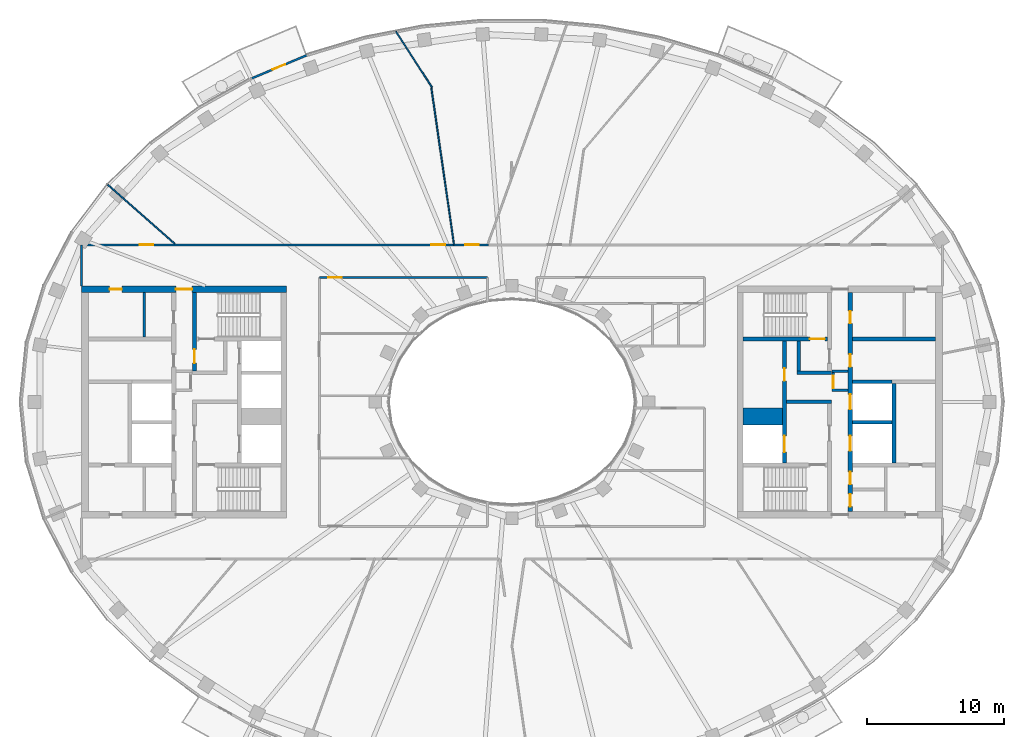
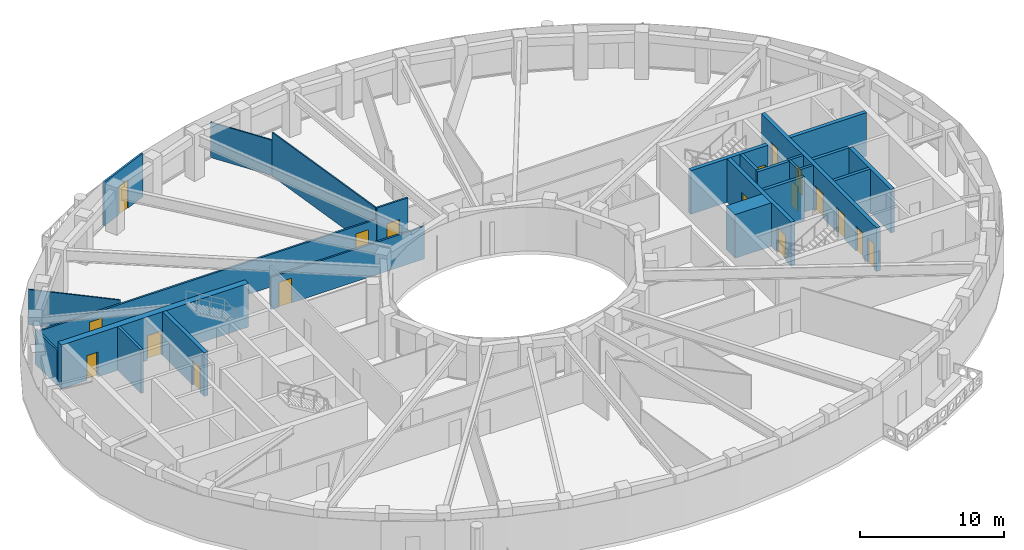
# One storey, part 5 of 15: 25 walls, 18 doors, 18 openings.
"""IFC4 building model written with IfcOpenShell, lengths in metres."""

from ifc_helpers import new_model, si_unit, direction, frame, frame_2d, origin, place, context, subcontext, project, spatial, rectangle, extrude, material, layer, layer_set, type_object, element, fill, save


model = new_model("IFC4")

# Units and contexts
model_context = context("Model", 3, precision=1e-05, world=origin(), true_north=direction((0.0, 1.0)))
body_context = subcontext(model_context, "Body", "Model", "MODEL_VIEW")
ifc_project = project(units=[si_unit("LENGTHUNIT", "METRE"), si_unit("AREAUNIT", "SQUARE_METRE"), si_unit("VOLUMEUNIT", "CUBIC_METRE"), si_unit("PLANEANGLEUNIT", "RADIAN"), si_unit("MASSUNIT", "GRAM", prefix="KILO")], contexts=[model_context])

# Site, building, storey
site_placement = place(None, origin())
site = spatial("IfcSite", under=ifc_project, at=site_placement, CompositionType="ELEMENT")
building_placement = place(site_placement, origin())
building = spatial("IfcBuilding", under=site, at=building_placement, Name="Noorbagh Ring Tower", CompositionType="ELEMENT")
storey_placement = place(building_placement, frame((0.0, 0.0, 295.0)))
storey = spatial("IfcBuildingStorey", under=building, at=storey_placement, Name="L63", CompositionType="ELEMENT", Elevation=295.0)

# Walls
ifc_material_1 = material(Name="Gypsum board on steel studs", Category="steel")
ifc_layer_1 = layer(ifc_material_1, 0.199951171875)
ifc_layer_set_1 = layer_set([ifc_layer_1], Name="Gypsum board on steel studs")
wall_type_1 = type_object("IfcWallType", Name="CORE-PARTITION-200", PredefinedType="PARTITIONING", material=ifc_layer_set_1)
wall_1_placement = place(storey_placement, frame((-26.89990234375, 4.75, 0.0), z_axis=(0.0, 0.0, 1.0), x_axis=(0.0, 1.0, 0.0)))
element("IfcWall", 1, at=wall_1_placement, inside=storey, type_object=wall_type_1, Name="Core partition W", PredefinedType="PARTITIONING", context=body_context, shape_type="SweptSolid", body=[
    extrude(rectangle(XDim=3.25, YDim=0.199951171875, at=frame_2d((1.625, 0.0))), origin(), (0.0, 0.0, 1.0), 3.699951171875),
])
for number, where, z_axis, x_axis, name in (
    (2, (23.39990234375, 0.85009765625, 0.0), (0.0, 0.0, 1.0), (1.0, 0.0, 0.0), "Core partition E"),
    (3, (23.39990234375, 2.25, 0.0), (0.0, 0.0, 1.0), (1.0, 0.0, 0.0), "Core partition E"),
):
    element("IfcWall", number, at=place(storey_placement, frame(where, z_axis=z_axis, x_axis=x_axis)), inside=storey, type_object=wall_type_1, Name=name, PredefinedType="PARTITIONING", context=body_context, shape_type="SweptSolid", body=[
        extrude(rectangle(XDim=1.2001953125, YDim=0.199951171875, at=frame_2d((0.60009765625, 0.0))), origin(), (0.0, 0.0, 1.0), 3.699951171875),
    ])

# Wall, opening, door
wall_2_placement = place(storey_placement, frame((23.5, 0.75, 0.0), z_axis=(0.0, 0.0, 1.0), x_axis=(0.0, 1.0, 0.0)))
wall_2 = element("IfcWall", 4, at=wall_2_placement, inside=storey, type_object=wall_type_1, Name="Core partition E", PredefinedType="PARTITIONING", context=body_context, shape_type="SweptSolid", body=[
    extrude(rectangle(XDim=1.60009765625, YDim=0.199951171875, at=frame_2d((0.800048828125, 0.0))), origin(), (0.0, 0.0, 1.0), 3.699951171875),
])
opening_1_placement = place(wall_2_placement, frame((0.25, 0.0, 0.0)))
opening_1 = element("IfcOpeningElement", 5, at=opening_1_placement, cuts=wall_2, Name="Opening L63-CE17", PredefinedType="OPENING", context=body_context, shape_type="SweptSolid", body=[
    extrude(rectangle(XDim=0.89990234375, YDim=2.10009765625, at=frame_2d((0.449951171875, 1.050048828125))), frame((0.0, 0.10986328125, 0.0), z_axis=(0.0, -1.0, 0.0), x_axis=(1.0, 0.0, 0.0)), (0.0, 0.0, 1.0), 0.219970703125),
])
ifc_material_2 = material(Name="Steel door leaf", Category="steel")
door_type_1 = type_object("IfcDoorType", Name="CORE-DOOR-DROOM", OperationType="SINGLE_SWING_LEFT", PredefinedType="DOOR", material=ifc_material_2)
door_1_placement = place(opening_1_placement, origin())
door_1 = element("IfcDoor", 6, at=door_1_placement, inside=storey, type_object=door_type_1, Name="Core room door L63-CE17", OperationType="SINGLE_SWING_LEFT", OverallHeight=2.10009765625, OverallWidth=0.89990234375, PredefinedType="DOOR", context=body_context, shape_type="SweptSolid", body=[
    extrude(rectangle(XDim=0.89990234375, YDim=2.10009765625, at=frame_2d((0.449951171875, 1.050048828125))), frame((0.0, 0.02490234375, 0.0), z_axis=(0.0, -1.0, 0.0), x_axis=(1.0, 0.0, 0.0)), (0.0, 0.0, 1.0), 0.050048828125),
])
fill(opening_1, door_1)

# Walls
ifc_material_3 = material(Name="Concrete C50/60", Category="concrete")
ifc_layer_2 = layer(ifc_material_3, 1.25)
ifc_layer_set_2 = layer_set([ifc_layer_2], Name="Concrete C50/60")
wall_type_2 = type_object("IfcWallType", Name="CORE-WALL-1250-C50-60-EI120", PredefinedType="SHEAR", material=ifc_layer_set_2)
wall_3_placement = place(storey_placement, frame((16.89990234375, -1.074951171875, 0.0), z_axis=(0.0, 0.0, 1.0), x_axis=(1.0, 0.0, 0.0)))
element("IfcWall", 7, at=wall_3_placement, inside=storey, type_object=wall_type_2, Name="Core wall E", PredefinedType="SHEAR", context=body_context, shape_type="SweptSolid", body=[
    extrude(rectangle(XDim=2.900146484375, YDim=1.25, at=frame_2d((1.4501953125, 0.0))), origin(), (0.0, 0.0, 1.0), 3.699951171875),
])
ifc_material_4 = material(Name="Concrete C50/60", Category="concrete")
ifc_layer_3 = layer(ifc_material_4, 0.25)
ifc_layer_set_3 = layer_set([ifc_layer_3], Name="Concrete C50/60")
wall_type_3 = type_object("IfcWallType", Name="CORE-WALL-250-C50-60-EI120", PredefinedType="SHEAR", material=ifc_layer_set_3)
for number, where, z_axis, x_axis, name in (
    (8, (24.89990234375, -1.47509765625, 0.0), (0.0, 0.0, 1.0), (1.0, 0.0, 0.0), "Core wall E"),
    (9, (24.89990234375, 1.47509765625, 0.0), (0.0, 0.0, 1.0), (1.0, 0.0, 0.0), "Core wall E"),
):
    element("IfcWall", number, at=place(storey_placement, frame(where, z_axis=z_axis, x_axis=x_axis)), inside=storey, type_object=wall_type_3, Name=name, PredefinedType="SHEAR", context=body_context, shape_type="SweptSolid", body=[
        extrude(rectangle(XDim=2.900146484375, YDim=0.25, at=frame_2d((1.4501953125, 0.0))), origin(), (0.0, 0.0, 1.0), 3.699951171875),
    ])
ifc_material_5 = material(Name="Concrete C50/60", Category="concrete")
ifc_layer_4 = layer(ifc_material_5, 0.25)
ifc_layer_set_4 = layer_set([ifc_layer_4], Name="Concrete C50/60")
wall_type_4 = type_object("IfcWallType", Name="CORE-WALL-250-C50-60-EI240", PredefinedType="SHEAR", material=ifc_layer_set_4)
wall_4_placement = place(storey_placement, frame((20.10009765625, 0.0, 0.0), z_axis=(0.0, 0.0, 1.0), x_axis=(1.0, 0.0, 0.0)))
element("IfcWall", 10, at=wall_4_placement, inside=storey, type_object=wall_type_4, Name="Core wall E", PredefinedType="SHEAR", context=body_context, shape_type="SweptSolid", body=[
    extrude(rectangle(XDim=3.27978515625, YDim=0.25, at=frame_2d((1.639892578125, 0.0))), origin(), (0.0, 0.0, 1.0), 3.699951171875),
])
wall_5_placement = place(storey_placement, frame((20.85009765625, 2.125, 0.0), z_axis=(0.0, 0.0, 1.0), x_axis=(1.0, 0.0, 0.0)))
element("IfcWall", 11, at=wall_5_placement, inside=storey, type_object=wall_type_4, Name="Core wall E", PredefinedType="SHEAR", context=body_context, shape_type="SweptSolid", body=[
    extrude(rectangle(XDim=2.52978515625, YDim=0.25, at=frame_2d((1.264892578125, 0.0))), origin(), (0.0, 0.0, 1.0), 3.699951171875),
])
wall_6_placement = place(storey_placement, frame((20.97509765625, 2.25, 0.0), z_axis=(0.0, 0.0, 1.0), x_axis=(0.0, 1.0, 0.0)))
element("IfcWall", 12, at=wall_6_placement, inside=storey, type_object=wall_type_4, Name="Core wall E", PredefinedType="SHEAR", context=body_context, shape_type="SweptSolid", body=[
    extrude(rectangle(XDim=2.199951171875, YDim=0.25, at=frame_2d((1.10009765625, 0.0))), origin(), (0.0, 0.0, 1.0), 3.699951171875),
])
ifc_material_6 = material(Name="Concrete C50/60", Category="concrete")
ifc_layer_5 = layer(ifc_material_6, 0.300048828125)
ifc_layer_set_5 = layer_set([ifc_layer_5], Name="Concrete C50/60")
wall_type_5 = type_object("IfcWallType", Name="CORE-WALL-300-C50-60-EI120", PredefinedType="SHEAR", material=ifc_layer_set_5)
wall_7_placement = place(storey_placement, frame((27.949951171875, -4.449951171875, 0.0), z_axis=(0.0, 0.0, 1.0), x_axis=(0.0, 1.0, 0.0)))
element("IfcWall", 13, at=wall_7_placement, inside=storey, type_object=wall_type_5, Name="Core wall E", PredefinedType="SHEAR", context=body_context, shape_type="SweptSolid", body=[
    extrude(rectangle(XDim=5.800048828125, YDim=0.300048828125, at=frame_2d((2.89990234375, 0.0))), origin(), (0.0, 0.0, 1.0), 3.699951171875),
])

# Wall, openings, doors
wall_8_placement = place(storey_placement, frame((19.949951171875, -4.449951171875, 0.0), z_axis=(0.0, 0.0, 1.0), x_axis=(0.0, 1.0, 0.0)))
wall_8 = element("IfcWall", 14, at=wall_8_placement, inside=storey, type_object=wall_type_5, Name="Core wall E", PredefinedType="SHEAR", context=body_context, shape_type="SweptSolid", body=[
    extrude(rectangle(XDim=8.89990234375, YDim=0.300048828125, at=frame_2d((4.449951171875, 0.0))), origin(), (0.0, 0.0, 1.0), 3.699951171875),
])
opening_2_placement = place(wall_8_placement, frame((0.77490234375, 0.0, 0.0)))
opening_2 = element("IfcOpeningElement", 15, at=opening_2_placement, cuts=wall_8, Name="Opening L63-CE01", PredefinedType="OPENING", context=body_context, shape_type="SweptSolid", body=[
    extrude(rectangle(XDim=1.199951171875, YDim=2.10009765625, at=frame_2d((0.60009765625, 1.050048828125))), frame((0.0, 0.16015625, 0.0), z_axis=(0.0, -1.0, 0.0), x_axis=(1.0, 0.0, 0.0)), (0.0, 0.0, 1.0), 0.320068359375),
])
opening_3_placement = place(wall_8_placement, frame((6.0, 0.0, 0.0)))
opening_3 = element("IfcOpeningElement", 16, at=opening_3_placement, cuts=wall_8, Name="Opening L63-CE10", PredefinedType="OPENING", context=body_context, shape_type="SweptSolid", body=[
    extrude(rectangle(XDim=0.89990234375, YDim=2.10009765625, at=frame_2d((0.449951171875, 1.050048828125))), frame((0.0, 0.16015625, 0.0), z_axis=(0.0, -1.0, 0.0), x_axis=(1.0, 0.0, 0.0)), (0.0, 0.0, 1.0), 0.320068359375),
])
door_2_placement = place(opening_3_placement, origin())
door_2 = element("IfcDoor", 17, at=door_2_placement, inside=storey, type_object=door_type_1, Name="Core room door L63-CE10", OperationType="SINGLE_SWING_RIGHT", OverallHeight=2.10009765625, OverallWidth=0.89990234375, PredefinedType="DOOR", context=body_context, shape_type="SweptSolid", body=[
    extrude(rectangle(XDim=0.89990234375, YDim=2.10009765625, at=frame_2d((0.449951171875, 1.050048828125))), frame((0.0, 0.02490234375, 0.0), z_axis=(0.0, -1.0, 0.0), x_axis=(1.0, 0.0, 0.0)), (0.0, 0.0, 1.0), 0.050048828125),
])
fill(opening_3, door_2)
ifc_material_7 = material(Name="Steel door leaf", Category="steel")
door_type_2 = type_object("IfcDoorType", Name="CORE-DOOR-LDW", OperationType="DOUBLE_DOOR_SLIDING", PredefinedType="DOOR", material=ifc_material_7)
door_3_placement = place(opening_2_placement, origin())
door_3 = element("IfcDoor", 18, at=door_3_placement, inside=storey, type_object=door_type_2, Name="Landing door FF2 L63-CE01", OperationType="DOUBLE_DOOR_SLIDING", OverallHeight=2.10009765625, OverallWidth=1.199951171875, PredefinedType="DOOR", context=body_context, shape_type="SweptSolid", body=[
    extrude(rectangle(XDim=1.199951171875, YDim=2.10009765625, at=frame_2d((0.60009765625, 1.050048828125))), frame((0.0, 0.02490234375, 0.0), z_axis=(0.0, -1.0, 0.0), x_axis=(1.0, 0.0, 0.0)), (0.0, 0.0, 1.0), 0.050048828125),
])
fill(opening_2, door_3)

wall_9_placement = place(storey_placement, frame((24.75, -8.0, 0.0), z_axis=(0.0, 0.0, 1.0), x_axis=(0.0, 1.0, 0.0)))
wall_9 = element("IfcWall", 19, at=wall_9_placement, inside=storey, type_object=wall_type_5, Name="Core wall E", PredefinedType="SHEAR", context=body_context, shape_type="SweptSolid", body=[
    extrude(rectangle(XDim=16.0, YDim=0.300048828125, at=frame_2d((8.0, 0.0))), origin(), (0.0, 0.0, 1.0), 3.699951171875),
])
opening_4_placement = place(wall_9_placement, frame((4.425048828125, 0.0, 0.0)))
opening_4 = element("IfcOpeningElement", 20, at=opening_4_placement, cuts=wall_9, Name="Opening L63-CE02", PredefinedType="OPENING", context=body_context, shape_type="SweptSolid", body=[
    extrude(rectangle(XDim=1.10009765625, YDim=2.10009765625, at=frame_2d((0.550048828125, 1.050048828125))), frame((0.0, 0.16015625, 0.0), z_axis=(0.0, -1.0, 0.0), x_axis=(1.0, 0.0, 0.0)), (0.0, 0.0, 1.0), 0.320068359375),
])
opening_5_placement = place(wall_9_placement, frame((7.449951171875, 0.0, 0.0)))
opening_5 = element("IfcOpeningElement", 21, at=opening_5_placement, cuts=wall_9, Name="Opening L63-CE03", PredefinedType="OPENING", context=body_context, shape_type="SweptSolid", body=[
    extrude(rectangle(XDim=1.10009765625, YDim=2.10009765625, at=frame_2d((0.550048828125, 1.050048828125))), frame((0.0, 0.16015625, 0.0), z_axis=(0.0, -1.0, 0.0), x_axis=(1.0, 0.0, 0.0)), (0.0, 0.0, 1.0), 0.320068359375),
])
opening_6_placement = place(wall_9_placement, frame((10.574951171875, 0.0, 0.0)))
opening_6 = element("IfcOpeningElement", 22, at=opening_6_placement, cuts=wall_9, Name="Opening L63-CE11", PredefinedType="OPENING", context=body_context, shape_type="SweptSolid", body=[
    extrude(rectangle(XDim=0.89990234375, YDim=2.10009765625, at=frame_2d((0.449951171875, 1.050048828125))), frame((0.0, 0.16015625, 0.0), z_axis=(0.0, -1.0, 0.0), x_axis=(1.0, 0.0, 0.0)), (0.0, 0.0, 1.0), 0.320068359375),
])
opening_7_placement = place(wall_9_placement, frame((13.75, 0.0, 0.0)))
opening_7 = element("IfcOpeningElement", 23, at=opening_7_placement, cuts=wall_9, Name="Opening L63-CE12", PredefinedType="OPENING", context=body_context, shape_type="SweptSolid", body=[
    extrude(rectangle(XDim=0.89990234375, YDim=2.10009765625, at=frame_2d((0.449951171875, 1.050048828125))), frame((0.0, 0.16015625, 0.0), z_axis=(0.0, -1.0, 0.0), x_axis=(1.0, 0.0, 0.0)), (0.0, 0.0, 1.0), 0.320068359375),
])
opening_8_placement = place(wall_9_placement, frame((1.97509765625, 0.0, 0.0)))
opening_8 = element("IfcOpeningElement", 24, at=opening_8_placement, cuts=wall_9, Name="Opening L63-CE14", PredefinedType="OPENING", context=body_context, shape_type="SweptSolid", body=[
    extrude(rectangle(XDim=0.89990234375, YDim=2.10009765625, at=frame_2d((0.449951171875, 1.050048828125))), frame((0.0, 0.16015625, 0.0), z_axis=(0.0, -1.0, 0.0), x_axis=(1.0, 0.0, 0.0)), (0.0, 0.0, 1.0), 0.320068359375),
])
opening_9_placement = place(wall_9_placement, frame((0.35009765625, 0.0, 0.0)))
opening_9 = element("IfcOpeningElement", 25, at=opening_9_placement, cuts=wall_9, Name="Opening L63-CE15", PredefinedType="OPENING", context=body_context, shape_type="SweptSolid", body=[
    extrude(rectangle(XDim=0.89990234375, YDim=2.10009765625, at=frame_2d((0.449951171875, 1.050048828125))), frame((0.0, 0.16015625, 0.0), z_axis=(0.0, -1.0, 0.0), x_axis=(1.0, 0.0, 0.0)), (0.0, 0.0, 1.0), 0.320068359375),
])
door_4_placement = place(opening_6_placement, origin())
door_4 = element("IfcDoor", 26, at=door_4_placement, inside=storey, type_object=door_type_1, Name="Core room door L63-CE11", OperationType="SINGLE_SWING_LEFT", OverallHeight=2.10009765625, OverallWidth=0.89990234375, PredefinedType="DOOR", context=body_context, shape_type="SweptSolid", body=[
    extrude(rectangle(XDim=0.89990234375, YDim=2.10009765625, at=frame_2d((0.449951171875, 1.050048828125))), frame((0.0, 0.02490234375, 0.0), z_axis=(0.0, -1.0, 0.0), x_axis=(1.0, 0.0, 0.0)), (0.0, 0.0, 1.0), 0.050048828125),
])
fill(opening_6, door_4)
door_5_placement = place(opening_7_placement, origin())
door_5 = element("IfcDoor", 27, at=door_5_placement, inside=storey, type_object=door_type_1, Name="Core room door L63-CE12", OperationType="SINGLE_SWING_LEFT", OverallHeight=2.10009765625, OverallWidth=0.89990234375, PredefinedType="DOOR", context=body_context, shape_type="SweptSolid", body=[
    extrude(rectangle(XDim=0.89990234375, YDim=2.10009765625, at=frame_2d((0.449951171875, 1.050048828125))), frame((0.0, 0.02490234375, 0.0), z_axis=(0.0, -1.0, 0.0), x_axis=(1.0, 0.0, 0.0)), (0.0, 0.0, 1.0), 0.050048828125),
])
fill(opening_7, door_5)
door_6_placement = place(opening_8_placement, origin())
door_6 = element("IfcDoor", 28, at=door_6_placement, inside=storey, type_object=door_type_1, Name="Core room door L63-CE14", OperationType="SINGLE_SWING_LEFT", OverallHeight=2.10009765625, OverallWidth=0.89990234375, PredefinedType="DOOR", context=body_context, shape_type="SweptSolid", body=[
    extrude(rectangle(XDim=0.89990234375, YDim=2.10009765625, at=frame_2d((0.449951171875, 1.050048828125))), frame((0.0, 0.02490234375, 0.0), z_axis=(0.0, -1.0, 0.0), x_axis=(1.0, 0.0, 0.0)), (0.0, 0.0, 1.0), 0.050048828125),
])
fill(opening_8, door_6)
door_7_placement = place(opening_9_placement, origin())
door_7 = element("IfcDoor", 29, at=door_7_placement, inside=storey, type_object=door_type_1, Name="Core room door L63-CE15", OperationType="SINGLE_SWING_RIGHT", OverallHeight=2.10009765625, OverallWidth=0.89990234375, PredefinedType="DOOR", context=body_context, shape_type="SweptSolid", body=[
    extrude(rectangle(XDim=0.89990234375, YDim=2.10009765625, at=frame_2d((0.449951171875, 1.050048828125))), frame((0.0, 0.02490234375, 0.0), z_axis=(0.0, -1.0, 0.0), x_axis=(1.0, 0.0, 0.0)), (0.0, 0.0, 1.0), 0.050048828125),
])
fill(opening_9, door_7)
ifc_material_8 = material(Name="Steel door leaf", Category="steel")
door_type_3 = type_object("IfcDoorType", Name="CORE-DOOR-LD", OperationType="DOUBLE_DOOR_SLIDING", PredefinedType="DOOR", material=ifc_material_8)
door_8_placement = place(opening_4_placement, origin())
door_8 = element("IfcDoor", 30, at=door_8_placement, inside=storey, type_object=door_type_3, Name="Landing door HR12 L63-CE02", OperationType="DOUBLE_DOOR_SLIDING", OverallHeight=2.10009765625, OverallWidth=1.10009765625, PredefinedType="DOOR", context=body_context, shape_type="SweptSolid", body=[
    extrude(rectangle(XDim=1.10009765625, YDim=2.10009765625, at=frame_2d((0.550048828125, 1.050048828125))), frame((0.0, 0.02490234375, 0.0), z_axis=(0.0, -1.0, 0.0), x_axis=(1.0, 0.0, 0.0)), (0.0, 0.0, 1.0), 0.050048828125),
])
fill(opening_4, door_8)
door_9_placement = place(opening_5_placement, origin())
door_9 = element("IfcDoor", 31, at=door_9_placement, inside=storey, type_object=door_type_3, Name="Landing door HR13 L63-CE03", OperationType="DOUBLE_DOOR_SLIDING", OverallHeight=2.10009765625, OverallWidth=1.10009765625, PredefinedType="DOOR", context=body_context, shape_type="SweptSolid", body=[
    extrude(rectangle(XDim=1.10009765625, YDim=2.10009765625, at=frame_2d((0.550048828125, 1.050048828125))), frame((0.0, 0.02490234375, 0.0), z_axis=(0.0, -1.0, 0.0), x_axis=(1.0, 0.0, 0.0)), (0.0, 0.0, 1.0), 0.050048828125),
])
fill(opening_5, door_9)

# Wall, opening, door
ifc_material_9 = material(Name="Concrete C50/60", Category="concrete")
ifc_layer_6 = layer(ifc_material_9, 0.300048828125)
ifc_layer_set_6 = layer_set([ifc_layer_6], Name="Concrete C50/60")
wall_type_6 = type_object("IfcWallType", Name="CORE-WALL-300-C50-60-EI240", PredefinedType="SHEAR", material=ifc_layer_set_6)
wall_10_placement = place(storey_placement, frame((-23.22998046875, 2.25, 0.0), z_axis=(0.0, 0.0, 1.0), x_axis=(0.0, 1.0, 0.0)))
wall_10 = element("IfcWall", 32, at=wall_10_placement, inside=storey, type_object=wall_type_6, Name="Core wall W", PredefinedType="SHEAR", context=body_context, shape_type="SweptSolid", body=[
    extrude(rectangle(XDim=5.75, YDim=0.300048828125, at=frame_2d((2.875, 0.0))), origin(), (0.0, 0.0, 1.0), 3.699951171875),
])
opening_10_placement = place(wall_10_placement, frame((0.60009765625, 0.0, 0.0)))
opening_10 = element("IfcOpeningElement", 33, at=opening_10_placement, cuts=wall_10, Name="Opening L63-CW08", PredefinedType="OPENING", context=body_context, shape_type="SweptSolid", body=[
    extrude(rectangle(XDim=1.0, YDim=2.10009765625, at=frame_2d((0.5, 1.050048828125))), frame((0.0, 0.16015625, 0.0), z_axis=(0.0, -1.0, 0.0), x_axis=(1.0, 0.0, 0.0)), (0.0, 0.0, 1.0), 0.320068359375),
])
ifc_material_10 = material(Name="Steel door leaf", Category="steel")
door_type_4 = type_object("IfcDoorType", Name="CORE-DOOR-DVEST", OperationType="SINGLE_SWING_LEFT", PredefinedType="DOOR", material=ifc_material_10)
door_10_placement = place(opening_10_placement, origin())
door_10 = element("IfcDoor", 34, at=door_10_placement, inside=storey, type_object=door_type_4, Name="Stair vestibule door L63-CW08", OperationType="SINGLE_SWING_LEFT", OverallHeight=2.10009765625, OverallWidth=1.0, PredefinedType="DOOR", context=body_context, shape_type="SweptSolid", body=[
    extrude(rectangle(XDim=1.0, YDim=2.10009765625, at=frame_2d((0.5, 1.050048828125))), frame((0.0, 0.02490234375, 0.0), z_axis=(0.0, -1.0, 0.0), x_axis=(1.0, 0.0, 0.0)), (0.0, 0.0, 1.0), 0.050048828125),
])
fill(opening_10, door_10)

# Wall
wall_11_placement = place(storey_placement, frame((24.89990234375, 4.60009765625, 0.0), z_axis=(0.0, 0.0, 1.0), x_axis=(1.0, 0.0, 0.0)))
element("IfcWall", 35, at=wall_11_placement, inside=storey, type_object=wall_type_6, Name="Core wall E", PredefinedType="SHEAR", context=body_context, shape_type="SweptSolid", body=[
    extrude(rectangle(XDim=6.10009765625, YDim=0.300048828125, at=frame_2d((3.050048828125, 0.0))), origin(), (0.0, 0.0, 1.0), 3.699951171875),
])

# Wall, opening, door
wall_12_placement = place(storey_placement, frame((16.89990234375, 4.60009765625, 0.0), z_axis=(0.0, 0.0, 1.0), x_axis=(1.0, 0.0, 0.0)))
wall_12 = element("IfcWall", 36, at=wall_12_placement, inside=storey, type_object=wall_type_6, Name="Core wall E", PredefinedType="SHEAR", context=body_context, shape_type="SweptSolid", body=[
    extrude(rectangle(XDim=6.18017578125, YDim=0.300048828125, at=frame_2d((3.090087890625, 0.0))), origin(), (0.0, 0.0, 1.0), 3.699951171875),
])
opening_11_placement = place(wall_12_placement, frame((4.89990234375, 0.0, 0.0)))
opening_11 = element("IfcOpeningElement", 37, at=opening_11_placement, cuts=wall_12, Name="Opening L63-CE04", PredefinedType="OPENING", context=body_context, shape_type="SweptSolid", body=[
    extrude(rectangle(XDim=1.10009765625, YDim=2.10009765625, at=frame_2d((0.550048828125, 1.050048828125))), frame((0.0, 0.16015625, 0.0), z_axis=(0.0, -1.0, 0.0), x_axis=(1.0, 0.0, 0.0)), (0.0, 0.0, 1.0), 0.320068359375),
])
ifc_material_11 = material(Name="Steel door leaf", Category="steel")
door_type_5 = type_object("IfcDoorType", Name="CORE-DOOR-DSTAIR", OperationType="SINGLE_SWING_LEFT", PredefinedType="DOOR", material=ifc_material_11)
door_11_placement = place(opening_11_placement, origin())
door_11 = element("IfcDoor", 38, at=door_11_placement, inside=storey, type_object=door_type_5, Name="Stair door ST3 L63-CE04", OperationType="SINGLE_SWING_LEFT", OverallHeight=2.10009765625, OverallWidth=1.10009765625, PredefinedType="DOOR", context=body_context, shape_type="SweptSolid", body=[
    extrude(rectangle(XDim=1.10009765625, YDim=2.10009765625, at=frame_2d((0.550048828125, 1.050048828125))), frame((0.0, 0.02490234375, 0.0), z_axis=(0.0, -1.0, 0.0), x_axis=(1.0, 0.0, 0.0)), (0.0, 0.0, 1.0), 0.050048828125),
])
fill(opening_11, door_11)

# Wall, openings, doors
ifc_material_12 = material(Name="Concrete C50/60", Category="concrete")
ifc_layer_7 = layer(ifc_material_12, 0.5)
ifc_layer_set_7 = layer_set([ifc_layer_7], Name="Concrete C50/60")
wall_type_7 = type_object("IfcWallType", Name="CORE-WALL-500-C50-60-EI240", PredefinedType="SHEAR", material=ifc_layer_set_7)
wall_13_placement = place(storey_placement, frame((-16.5, 8.25, 0.0), z_axis=(0.0, 0.0, 1.0), x_axis=(-1.0, 0.0, 0.0)))
wall_13 = element("IfcWall", 39, at=wall_13_placement, inside=storey, type_object=wall_type_7, Name="Core wall W", PredefinedType="SHEAR", context=body_context, shape_type="SweptSolid", body=[
    extrude(rectangle(XDim=15.0, YDim=0.5, at=frame_2d((7.5, 0.0))), origin(), (0.0, 0.0, 1.0), 3.699951171875),
])
opening_12_placement = place(wall_13_placement, frame((6.89990234375, 0.0, 0.0)))
opening_12 = element("IfcOpeningElement", 40, at=opening_12_placement, cuts=wall_13, Name="Opening L63-CW09", PredefinedType="OPENING", context=body_context, shape_type="SweptSolid", body=[
    extrude(rectangle(XDim=1.199951171875, YDim=2.10009765625, at=frame_2d((0.60009765625, 1.050048828125))), frame((0.0, 0.260009765625, 0.0), z_axis=(0.0, -1.0, 0.0), x_axis=(1.0, 0.0, 0.0)), (0.0, 0.0, 1.0), 0.52001953125),
])
opening_13_placement = place(wall_13_placement, frame((12.050048828125, 0.0, 0.0)))
opening_13 = element("IfcOpeningElement", 41, at=opening_13_placement, cuts=wall_13, Name="Opening L63-CW13", PredefinedType="OPENING", context=body_context, shape_type="SweptSolid", body=[
    extrude(rectangle(XDim=0.89990234375, YDim=2.10009765625, at=frame_2d((0.449951171875, 1.050048828125))), frame((0.0, 0.260009765625, 0.0), z_axis=(0.0, -1.0, 0.0), x_axis=(1.0, 0.0, 0.0)), (0.0, 0.0, 1.0), 0.52001953125),
])
door_12_placement = place(opening_13_placement, origin())
door_12 = element("IfcDoor", 42, at=door_12_placement, inside=storey, type_object=door_type_1, Name="Core room door L63-CW13", OperationType="SINGLE_SWING_RIGHT", OverallHeight=2.10009765625, OverallWidth=0.89990234375, PredefinedType="DOOR", context=body_context, shape_type="SweptSolid", body=[
    extrude(rectangle(XDim=0.89990234375, YDim=2.10009765625, at=frame_2d((0.449951171875, 1.050048828125))), frame((0.0, 0.02490234375, 0.0), z_axis=(0.0, -1.0, 0.0), x_axis=(1.0, 0.0, 0.0)), (0.0, 0.0, 1.0), 0.050048828125),
])
fill(opening_13, door_12)
ifc_material_13 = material(Name="Steel door leaf", Category="steel")
door_type_6 = type_object("IfcDoorType", Name="CORE-DOOR-PORT", OperationType="DOUBLE_DOOR_DOUBLE_SWING", PredefinedType="DOOR", material=ifc_material_13)
door_13_placement = place(opening_12_placement, origin())
door_13 = element("IfcDoor", 43, at=door_13_placement, inside=storey, type_object=door_type_6, Name="Core entrance door L63-CW09", OperationType="DOUBLE_DOOR_DOUBLE_SWING", OverallHeight=2.10009765625, OverallWidth=1.199951171875, PredefinedType="DOOR", context=body_context, shape_type="SweptSolid", body=[
    extrude(rectangle(XDim=1.199951171875, YDim=2.10009765625, at=frame_2d((0.60009765625, 1.050048828125))), frame((0.0, 0.02490234375, 0.0), z_axis=(0.0, -1.0, 0.0), x_axis=(1.0, 0.0, 0.0)), (0.0, 0.0, 1.0), 0.050048828125),
])
fill(opening_12, door_13)

# Wall
ifc_material_14 = material(Name="Gypsum board on steel studs", Category="steel")
ifc_layer_8 = layer(ifc_material_14, 0.14990234375)
ifc_layer_set_8 = layer_set([ifc_layer_8], Name="Gypsum board on steel studs")
wall_type_8 = type_object("IfcWallType", Name="CORRIDOR PARTITION 150 EI 30", PredefinedType="PARTITIONING", material=ifc_layer_set_8)
wall_14_placement = place(storey_placement, frame((-31.5, 8.5, 0.0), z_axis=(0.0, 0.0, 1.0), x_axis=(0.0, 1.0, 0.0)))
element("IfcWall", 44, at=wall_14_placement, inside=storey, type_object=wall_type_8, Name="L63/wall/P04", PredefinedType="PARTITIONING", context=body_context, shape_type="SweptSolid", body=[
    extrude(rectangle(XDim=3.0, YDim=0.14990234375, at=frame_2d((1.5, 0.0))), origin(), (0.0, 0.0, 1.0), 3.0),
])

# Wall, openings, doors
wall_15_placement = place(storey_placement, frame((-31.5, 11.5, 0.0), z_axis=(0.0, 0.0, 1.0), x_axis=(1.0, 0.0, 0.0)))
wall_15 = element("IfcWall", 45, at=wall_15_placement, inside=storey, type_object=wall_type_8, Name="L63/wall/P05", PredefinedType="PARTITIONING", context=body_context, shape_type="SweptSolid", body=[
    extrude(rectangle(XDim=27.238037109375, YDim=0.14990234375, at=frame_2d((13.619140625, 0.0))), origin(), (0.0, 0.0, 1.0), 2.75),
])
opening_14_placement = place(wall_15_placement, frame((4.2490234375, 0.0, 0.0)))
opening_14 = element("IfcOpeningElement", 46, at=opening_14_placement, cuts=wall_15, Name="Opening D1", PredefinedType="OPENING", context=body_context, shape_type="SweptSolid", body=[
    extrude(rectangle(XDim=1.0, YDim=2.10009765625, at=frame_2d((0.5, 1.050048828125))), frame((0.0, 0.0849609375, 0.0), z_axis=(0.0, -1.0, 0.0), x_axis=(1.0, 0.0, 0.0)), (0.0, 0.0, 1.0), 0.169921875),
])
opening_15_placement = place(wall_15_placement, frame((25.60791015625, 0.0, 0.0)))
opening_15 = element("IfcOpeningElement", 47, at=opening_15_placement, cuts=wall_15, Name="Opening D1", PredefinedType="OPENING", context=body_context, shape_type="SweptSolid", body=[
    extrude(rectangle(XDim=1.0, YDim=2.10009765625, at=frame_2d((0.5, 1.050048828125))), frame((0.0, 0.0849609375, 0.0), z_axis=(0.0, -1.0, 0.0), x_axis=(1.0, 0.0, 0.0)), (0.0, 0.0, 1.0), 0.169921875),
])
ifc_material_15 = material(Name="Timber, painted", Category="wood")
door_type_7 = type_object("IfcDoorType", Name="DOOR 1000 X 2100 FD30", OperationType="SINGLE_SWING_LEFT", PredefinedType="DOOR", material=ifc_material_15)
door_14_placement = place(opening_14_placement, origin())
door_14 = element("IfcDoor", 48, at=door_14_placement, inside=storey, type_object=door_type_7, Name="L63-D05", OperationType="SINGLE_SWING_LEFT", OverallHeight=2.10009765625, OverallWidth=1.0, PredefinedType="DOOR", context=body_context, shape_type="SweptSolid", body=[
    extrude(rectangle(XDim=1.0, YDim=2.10009765625, at=frame_2d((0.5, 1.050048828125))), frame((0.0, 0.02490234375, 0.0), z_axis=(0.0, -1.0, 0.0), x_axis=(1.0, 0.0, 0.0)), (0.0, 0.0, 1.0), 0.050048828125),
])
fill(opening_14, door_14)
door_15_placement = place(opening_15_placement, origin())
door_15 = element("IfcDoor", 49, at=door_15_placement, inside=storey, type_object=door_type_7, Name="L63-D07", OperationType="SINGLE_SWING_LEFT", OverallHeight=2.10009765625, OverallWidth=1.0, PredefinedType="DOOR", context=body_context, shape_type="SweptSolid", body=[
    extrude(rectangle(XDim=1.0, YDim=2.10009765625, at=frame_2d((0.5, 1.050048828125))), frame((0.0, 0.02490234375, 0.0), z_axis=(0.0, -1.0, 0.0), x_axis=(1.0, 0.0, 0.0)), (0.0, 0.0, 1.0), 0.050048828125),
])
fill(opening_15, door_15)

# Wall, opening, door
wall_16_placement = place(storey_placement, frame((-14.10009765625, 9.10009765625, 0.0), z_axis=(0.0, 0.0, 1.0), x_axis=(1.0, 0.0, 0.0)))
wall_16 = element("IfcWall", 50, at=wall_16_placement, inside=storey, type_object=wall_type_8, Name="L63/wall/P14", PredefinedType="PARTITIONING", context=body_context, shape_type="SweptSolid", body=[
    extrude(rectangle(XDim=12.300048828125, YDim=0.14990234375, at=frame_2d((6.14990234375, 0.0))), origin(), (0.0, 0.0, 1.0), 2.75),
])
opening_16_placement = place(wall_16_placement, frame((0.64990234375, 0.0, 0.0)))
opening_16 = element("IfcOpeningElement", 51, at=opening_16_placement, cuts=wall_16, Name="Opening D1", PredefinedType="OPENING", context=body_context, shape_type="SweptSolid", body=[
    extrude(rectangle(XDim=1.0, YDim=2.10009765625, at=frame_2d((0.5, 1.050048828125))), frame((0.0, 0.0849609375, 0.0), z_axis=(0.0, -1.0, 0.0), x_axis=(1.0, 0.0, 0.0)), (0.0, 0.0, 1.0), 0.169921875),
])
door_16_placement = place(opening_16_placement, origin())
door_16 = element("IfcDoor", 52, at=door_16_placement, inside=storey, type_object=door_type_7, Name="L63-D21", OperationType="SINGLE_SWING_LEFT", OverallHeight=2.10009765625, OverallWidth=1.0, PredefinedType="DOOR", context=body_context, shape_type="SweptSolid", body=[
    extrude(rectangle(XDim=1.0, YDim=2.10009765625, at=frame_2d((0.5, 1.050048828125))), frame((0.0, 0.02490234375, 0.0), z_axis=(0.0, -1.0, 0.0), x_axis=(1.0, 0.0, 0.0)), (0.0, 0.0, 1.0), 0.050048828125),
])
fill(opening_16, door_16)

wall_17_placement = place(storey_placement, frame((-4.241943359375, 11.5, 0.0), z_axis=(0.0, 0.0, 1.0), x_axis=(1.0, 0.0, 0.0)))
wall_17 = element("IfcWall", 53, at=wall_17_placement, inside=storey, type_object=wall_type_8, Name="L63/wall/P18", PredefinedType="PARTITIONING", context=body_context, shape_type="SweptSolid", body=[
    extrude(rectangle(XDim=2.510009765625, YDim=0.14990234375, at=frame_2d((1.2548828125, 0.0))), origin(), (0.0, 0.0, 1.0), 3.699951171875),
])
opening_17_placement = place(wall_17_placement, frame((0.818115234375, 0.0, 0.0)))
opening_17 = element("IfcOpeningElement", 54, at=opening_17_placement, cuts=wall_17, Name="Opening D1", PredefinedType="OPENING", context=body_context, shape_type="SweptSolid", body=[
    extrude(rectangle(XDim=1.0, YDim=2.10009765625, at=frame_2d((0.5, 1.050048828125))), frame((0.0, 0.0849609375, 0.0), z_axis=(0.0, -1.0, 0.0), x_axis=(1.0, 0.0, 0.0)), (0.0, 0.0, 1.0), 0.169921875),
])
door_17_placement = place(opening_17_placement, origin())
door_17 = element("IfcDoor", 55, at=door_17_placement, inside=storey, type_object=door_type_7, Name="L63-D10", OperationType="SINGLE_SWING_RIGHT", OverallHeight=2.10009765625, OverallWidth=1.0, PredefinedType="DOOR", context=body_context, shape_type="SweptSolid", body=[
    extrude(rectangle(XDim=1.0, YDim=2.10009765625, at=frame_2d((0.5, 1.050048828125))), frame((0.0, 0.02490234375, 0.0), z_axis=(0.0, -1.0, 0.0), x_axis=(1.0, 0.0, 0.0)), (0.0, 0.0, 1.0), 0.050048828125),
])
fill(opening_17, door_17)

ifc_material_16 = material(Name="Insulated aluminium clad panel", Category="aluminium")
ifc_layer_9 = layer(ifc_material_16, 0.14990234375)
ifc_layer_set_9 = layer_set([ifc_layer_9], Name="Insulated aluminium clad panel")
wall_type_9 = type_object("IfcWallType", Name="ENV-WALL-DOOR", PredefinedType="STANDARD", material=ifc_layer_set_9)
wall_18_placement = place(storey_placement, frame((-15.017822265625, 25.368896484375, 0.0), z_axis=(0.0, 0.0, 1.0), x_axis=(-0.921816985161, -0.387625393736, 0.0)))
wall_18 = element("IfcWall", 56, at=wall_18_placement, inside=storey, type_object=wall_type_9, Name="Balcony door wall chord 16", PredefinedType="STANDARD", context=body_context, shape_type="SweptSolid", body=[
    extrude(rectangle(XDim=4.42578125, YDim=0.14990234375, at=frame_2d((2.212890625, 0.0))), origin(), (0.0, 0.0, 1.0), 3.699951171875),
])
opening_18_placement = place(wall_18_placement, frame((1.712890625, 0.0, 0.0)))
opening_18 = element("IfcOpeningElement", 57, at=opening_18_placement, cuts=wall_18, Name="Opening D-BL", PredefinedType="OPENING", context=body_context, shape_type="SweptSolid", body=[
    extrude(rectangle(XDim=1.0, YDim=2.39990234375, at=frame_2d((0.5, 1.199951171875))), frame((0.0, 0.0849609375, 0.0), z_axis=(0.0, -1.0, 0.0), x_axis=(1.0, 0.0, 0.0)), (0.0, 0.0, 1.0), 0.169921875),
])
ifc_material_17 = material(Name="Aluminium and glass", Category="aluminium")
door_type_8 = type_object("IfcDoorType", Name="ENV-DOOR-BALCONY", OperationType="SINGLE_SWING_LEFT", PredefinedType="DOOR", material=ifc_material_17)
door_18_placement = place(opening_18_placement, origin())
door_18 = element("IfcDoor", 58, at=door_18_placement, inside=storey, type_object=door_type_8, Name="Balcony door chord 16", OperationType="SINGLE_SWING_RIGHT", OverallHeight=2.39990234375, OverallWidth=1.0, PredefinedType="DOOR", context=body_context, shape_type="SweptSolid", body=[
    extrude(rectangle(XDim=1.0, YDim=2.39990234375, at=frame_2d((0.5, 1.199951171875))), frame((0.0, 0.02490234375, 0.0), z_axis=(0.0, -1.0, 0.0), x_axis=(1.0, 0.0, 0.0)), (0.0, 0.0, 1.0), 0.050048828125),
])
fill(opening_18, door_18)

# Walls
ifc_material_18 = material(Name="Gypsum board on steel studs", Category="steel")
ifc_layer_10 = layer(ifc_material_18, 0.10009765625)
ifc_layer_set_10 = layer_set([ifc_layer_10], Name="Gypsum board on steel studs")
wall_type_10 = type_object("IfcWallType", Name="PARTITION 100 GYPSUM", PredefinedType="PARTITIONING", material=ifc_layer_set_10)
wall_19_placement = place(storey_placement, frame((-29.569091796875, 15.89501953125, 0.0), z_axis=(0.0, 0.0, 1.0), x_axis=(0.748988695283, -0.662582775461, 0.0)))
element("IfcWall", 59, at=wall_19_placement, inside=storey, type_object=wall_type_10, Name="L63/wall/P06", PredefinedType="PARTITIONING", context=body_context, shape_type="SweptSolid", body=[
    extrude(rectangle(XDim=6.515625, YDim=0.10009765625, at=frame_2d((3.2578125, 0.0))), origin(), (0.0, 0.0, 1.0), 3.0),
])
wall_20_placement = place(storey_placement, frame((-8.490966796875, 27.10400390625, 0.0), z_axis=(0.0, 0.0, 1.0), x_axis=(0.542285995048, -0.840193965448, 0.0)))
element("IfcWall", 60, at=wall_20_placement, inside=storey, type_object=wall_type_10, Name="L63/wall/P16", PredefinedType="PARTITIONING", context=body_context, shape_type="SweptSolid", body=[
    extrude(rectangle(XDim=4.857177734375, YDim=0.10009765625, at=frame_2d((2.4287109375, 0.0))), origin(), (0.0, 0.0, 1.0), 3.0),
])
wall_21_placement = place(storey_placement, frame((-5.905029296875, 23.0048828125, 0.0), z_axis=(0.0, 0.0, 1.0), x_axis=(0.143067741786, -0.989712898401, 0.0)))
element("IfcWall", 61, at=wall_21_placement, inside=storey, type_object=wall_type_10, Name="L63/wall/P17", PredefinedType="PARTITIONING", context=body_context, shape_type="SweptSolid", body=[
    extrude(rectangle(XDim=11.62451171875, YDim=0.10009765625, at=frame_2d((5.812255859375, 0.0))), origin(), (0.0, 0.0, 1.0), 3.699951171875),
])

save(model, "model.ifc")
